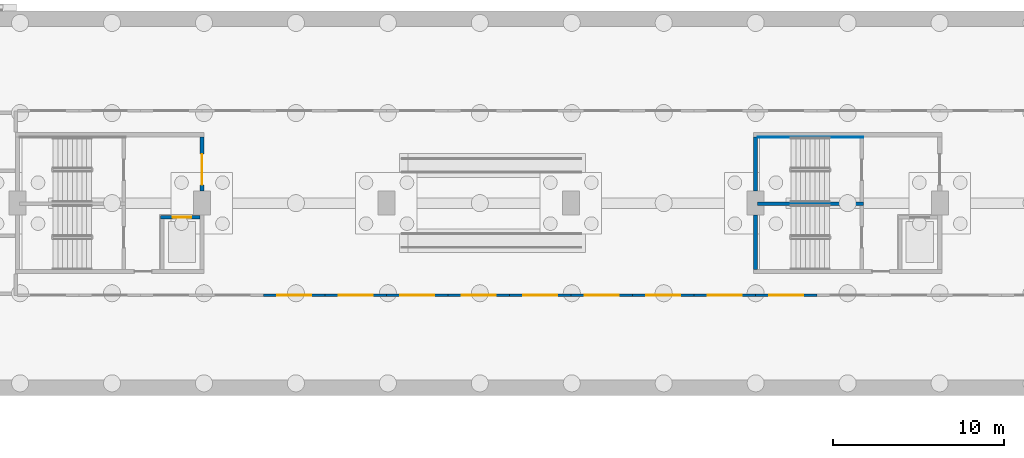
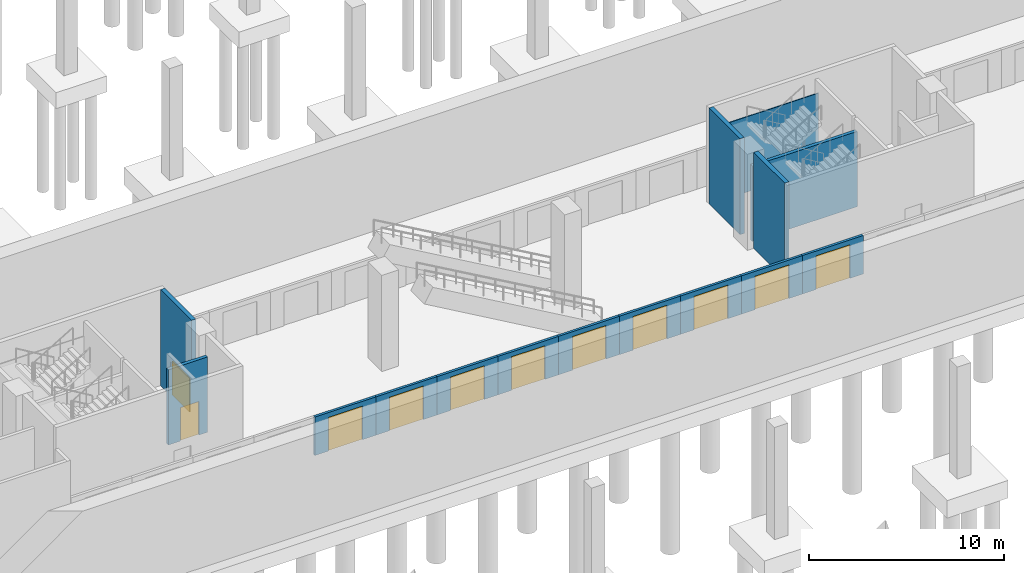
# One storey, part 7 of 39: 15 walls, 11 doors, 11 openings.
"""IFC4 building model written with IfcOpenShell, lengths in metres."""

from ifc_helpers import new_model, si_unit, direction, frame, frame_2d, origin, place, context, subcontext, project, spatial, rectangle, extrude, material, layer, layer_set, type_object, element, fill, save


model = new_model("IFC4")

# Units and contexts
model_context = context("Model", 3, precision=1e-05, world=origin(), true_north=direction((0.0, 1.0)))
body_context = subcontext(model_context, "Body", "Model", "MODEL_VIEW")
ifc_project = project(units=[si_unit("LENGTHUNIT", "METRE"), si_unit("AREAUNIT", "SQUARE_METRE"), si_unit("VOLUMEUNIT", "CUBIC_METRE"), si_unit("PLANEANGLEUNIT", "RADIAN"), si_unit("MASSUNIT", "GRAM", prefix="KILO")], contexts=[model_context])

# Site, building, storey
site_placement = place(None, origin())
site = spatial("IfcSite", under=ifc_project, at=site_placement, CompositionType="ELEMENT")
building_placement = place(site_placement, origin())
building = spatial("IfcBuilding", under=site, at=building_placement, Name="Magnolia Steps Interchange", CompositionType="ELEMENT")
storey_placement = place(building_placement, frame((0.0, 0.0, -11.39990234375)))
storey = spatial("IfcBuildingStorey", under=building, at=storey_placement, Name="B2", CompositionType="ELEMENT", Elevation=-11.39990234375)

# Wall, opening, door
ifc_material_1 = material(Name="Concrete C35", Category="concrete")
ifc_layer_1 = layer(ifc_material_1, 0.199951171875)
ifc_layer_set_1 = layer_set([ifc_layer_1], Name="Core enclosure wall 200")
wall_type_1 = type_object("IfcWallType", Name="Core enclosure wall 200", PredefinedType="SOLIDWALL", material=ifc_layer_set_1)
wall_1_placement = place(storey_placement, frame((63.875, 63.175048828125, 0.0), z_axis=(0.0, 0.0, 1.0), x_axis=(-1.0, 0.0, 0.0)))
wall_1 = element("IfcWall", 1, at=wall_1_placement, inside=storey, type_object=wall_type_1, Name="B2 PC1 enclosure wall", PredefinedType="SOLIDWALL", context=body_context, shape_type="SweptSolid", body=[
    extrude(rectangle(XDim=2.300048828125, YDim=0.199951171875, at=frame_2d((1.14990234375, 0.0))), origin(), (0.0, 0.0, 1.0), 4.699951171875),
])
opening_1_placement = place(wall_1_placement, frame((0.5, 0.0, 0.0)))
opening_1 = element("IfcOpeningElement", 2, at=opening_1_placement, cuts=wall_1, Name="Opening LD", PredefinedType="OPENING", context=body_context, shape_type="SweptSolid", body=[
    extrude(rectangle(XDim=1.10009765625, YDim=2.10009765625, at=frame_2d((0.550048828125, 1.050048828125))), frame((0.0, 0.10986328125, 0.0), z_axis=(0.0, -1.0, 0.0), x_axis=(1.0, 0.0, 0.0)), (0.0, 0.0, 1.0), 0.219970703125),
])
ifc_material_2 = material(Name="Stainless steel grade 304", Category="steel")
door_type_1 = type_object("IfcDoorType", Name="Lift landing door 1100x2100", OperationType="DOUBLE_DOOR_SLIDING", PredefinedType="DOOR", material=ifc_material_2)
door_1_placement = place(opening_1_placement, frame((1.10009765625, 0.0, 0.0), z_axis=(0.0, 0.0, 1.0), x_axis=(-1.0, 0.0, 0.0)))
door_1 = element("IfcDoor", 3, at=door_1_placement, inside=storey, type_object=door_type_1, Name="Lift landing door LF5 B2", OperationType="DOUBLE_DOOR_SLIDING", OverallHeight=2.10009765625, OverallWidth=1.10009765625, PredefinedType="DOOR", context=body_context, shape_type="SweptSolid", body=[
    extrude(rectangle(XDim=1.10009765625, YDim=2.10009765625, at=frame_2d((0.550048828125, 1.050048828125))), frame((0.0, 0.02490234375, 0.0), z_axis=(0.0, -1.0, 0.0), x_axis=(1.0, 0.0, 0.0)), (0.0, 0.0, 1.0), 0.050048828125),
])
fill(opening_1, door_1)

# Walls
wall_2_placement = place(storey_placement, frame((102.72509765625, 63.97509765625, 0.0), z_axis=(0.0, 0.0, 1.0), x_axis=(-1.0, 0.0, 0.0)))
element("IfcWall", 4, at=wall_2_placement, inside=storey, type_object=wall_type_1, Name="B2 PC2 enclosure wall", PredefinedType="SOLIDWALL", context=body_context, shape_type="SweptSolid", body=[
    extrude(rectangle(XDim=6.2001953125, YDim=0.199951171875, at=frame_2d((3.10009765625, 0.0))), origin(), (0.0, 0.0, 1.0), 4.699951171875),
])
wall_3_placement = place(storey_placement, frame((102.72509765625, 67.85009765625, 0.0), z_axis=(0.0, 0.0, 1.0), x_axis=(-1.0, 0.0, 0.0)))
element("IfcWall", 5, at=wall_3_placement, inside=storey, type_object=wall_type_1, Name="B2 PC2 enclosure wall", PredefinedType="SOLIDWALL", context=body_context, shape_type="SweptSolid", body=[
    extrude(rectangle(XDim=6.2001953125, YDim=0.050048828125, at=frame_2d((3.10009765625, 0.0))), origin(), (0.0, 0.0, 1.0), 4.699951171875),
])

# Wall, opening, door
ifc_material_3 = material(Name="Concrete C40", Category="concrete")
ifc_layer_2 = layer(ifc_material_3, 0.25)
ifc_layer_set_2 = layer_set([ifc_layer_2], Name="Core wall 250")
wall_type_2 = type_object("IfcWallType", Name="Core wall 250", PredefinedType="SOLIDWALL", material=ifc_layer_set_2)
wall_4_placement = place(storey_placement, frame((64.0, 64.699951171875, 0.0), z_axis=(0.0, 0.0, 1.0), x_axis=(0.0, 1.0, 0.0)))
wall_4 = element("IfcWall", 6, at=wall_4_placement, inside=storey, type_object=wall_type_2, Name="Core wall PC1", PredefinedType="SOLIDWALL", context=body_context, shape_type="SweptSolid", body=[
    extrude(rectangle(XDim=3.175048828125, YDim=0.25, at=frame_2d((1.58740234375, 0.0))), origin(), (0.0, 0.0, 1.0), 6.0),
])
opening_2_placement = place(wall_4_placement, frame((0.375, 0.0, 0.0)))
opening_2 = element("IfcOpeningElement", 7, at=opening_2_placement, cuts=wall_4, Name="Opening D-PC1-B2-3", PredefinedType="OPENING", context=body_context, shape_type="SweptSolid", body=[
    extrude(rectangle(XDim=1.800048828125, YDim=2.10009765625, at=frame_2d((0.89990234375, 1.050048828125))), frame((0.0, 0.135009765625, 0.0), z_axis=(0.0, -1.0, 0.0), x_axis=(1.0, 0.0, 0.0)), (0.0, 0.0, 1.0), 0.27001953125),
])
ifc_material_4 = material(Name="Timber and glass", Category="wood")
door_type_2 = type_object("IfcDoorType", Name="Core entrance door pair 1800x2100", OperationType="DOUBLE_DOOR_DOUBLE_SWING", PredefinedType="DOOR", material=ifc_material_4)
door_2_placement = place(opening_2_placement, frame((1.800048828125, 0.0, 0.0), z_axis=(0.0, 0.0, 1.0), x_axis=(-1.0, 0.0, 0.0)))
door_2 = element("IfcDoor", 8, at=door_2_placement, inside=storey, type_object=door_type_2, Name="Core entrance door PC1 B2", OperationType="DOUBLE_DOOR_DOUBLE_SWING", OverallHeight=2.10009765625, OverallWidth=1.800048828125, PredefinedType="DOOR", context=body_context, shape_type="SweptSolid", body=[
    extrude(rectangle(XDim=1.800048828125, YDim=2.10009765625, at=frame_2d((0.89990234375, 1.050048828125))), frame((0.0, 0.02490234375, 0.0), z_axis=(0.0, -1.0, 0.0), x_axis=(1.0, 0.0, 0.0)), (0.0, 0.0, 1.0), 0.050048828125),
])
fill(opening_2, door_2)

# Walls
for number, where, z_axis, x_axis, name in (
    (9, (96.39990234375, 67.875, 0.0), (0.0, 0.0, 1.0), (0.0, -1.0, 0.0), "Core wall PC2"),
    (10, (96.39990234375, 63.300048828125, 0.0), (0.0, 0.0, 1.0), (0.0, -1.0, 0.0), "Core wall PC2"),
):
    element("IfcWall", number, at=place(storey_placement, frame(where, z_axis=z_axis, x_axis=x_axis)), inside=storey, type_object=wall_type_2, Name=name, PredefinedType="SOLIDWALL", context=body_context, shape_type="SweptSolid", body=[
        extrude(rectangle(XDim=3.175048828125, YDim=0.25, at=frame_2d((1.58740234375, 0.0))), origin(), (0.0, 0.0, 1.0), 6.0),
    ])

# Wall, opening, door
ifc_material_5 = material(Name="Toughened glass", Category="glass")
ifc_layer_3 = layer(ifc_material_5, 0.14990234375)
ifc_layer_set_3 = layer_set([ifc_layer_3], Name="Platform screen panel 150")
wall_type_3 = type_object("IfcWallType", Name="Platform screen panel 150", PredefinedType="PARTITIONING", material=ifc_layer_set_3)
wall_5_placement = place(storey_placement, frame((67.60009765625, 58.60009765625, 0.0), z_axis=(0.0, 0.0, 1.0), x_axis=(1.0, 0.0, 0.0)))
wall_5 = element("IfcWall", 11, at=wall_5_placement, inside=storey, type_object=wall_type_3, Name="Platform screen 5", PredefinedType="PARTITIONING", context=body_context, shape_type="SweptSolid", body=[
    extrude(rectangle(XDim=3.599853515625, YDim=0.14990234375, at=frame_2d((1.7998046875, 0.0))), origin(), (0.0, 0.0, 1.0), 2.39990234375),
])
opening_3_placement = place(wall_5_placement, frame((0.800048828125, 0.0, 0.0)))
opening_3 = element("IfcOpeningElement", 12, at=opening_3_placement, cuts=wall_5, Name="Opening PSD", PredefinedType="OPENING", context=body_context, shape_type="SweptSolid", body=[
    extrude(rectangle(XDim=2.0, YDim=2.10009765625, at=frame_2d((1.0, 1.050048828125))), frame((0.0, 0.0849609375, 0.0), z_axis=(0.0, -1.0, 0.0), x_axis=(1.0, 0.0, 0.0)), (0.0, 0.0, 1.0), 0.169921875),
])
ifc_material_6 = material(Name="Toughened glass", Category="glass")
door_type_3 = type_object("IfcDoorType", Name="Platform screen door 2000x2100", OperationType="DOUBLE_DOOR_SLIDING", PredefinedType="DOOR", material=ifc_material_6)
door_3_placement = place(opening_3_placement, origin())
door_3 = element("IfcDoor", 13, at=door_3_placement, inside=storey, type_object=door_type_3, Name="Platform screen door 5", OperationType="DOUBLE_DOOR_SLIDING", OverallHeight=2.10009765625, OverallWidth=2.0, PredefinedType="DOOR", context=body_context, shape_type="SweptSolid", body=[
    extrude(rectangle(XDim=2.0, YDim=2.10009765625, at=frame_2d((1.0, 1.050048828125))), frame((0.0, 0.02490234375, 0.0), z_axis=(0.0, -1.0, 0.0), x_axis=(1.0, 0.0, 0.0)), (0.0, 0.0, 1.0), 0.050048828125),
])
fill(opening_3, door_3)

wall_6_placement = place(storey_placement, frame((71.199951171875, 58.60009765625, 0.0), z_axis=(0.0, 0.0, 1.0), x_axis=(1.0, 0.0, 0.0)))
wall_6 = element("IfcWall", 14, at=wall_6_placement, inside=storey, type_object=wall_type_3, Name="Platform screen 6", PredefinedType="PARTITIONING", context=body_context, shape_type="SweptSolid", body=[
    extrude(rectangle(XDim=3.60009765625, YDim=0.14990234375, at=frame_2d((1.800048828125, 0.0))), origin(), (0.0, 0.0, 1.0), 2.39990234375),
])
opening_4_placement = place(wall_6_placement, frame((0.800048828125, 0.0, 0.0)))
opening_4 = element("IfcOpeningElement", 15, at=opening_4_placement, cuts=wall_6, Name="Opening PSD", PredefinedType="OPENING", context=body_context, shape_type="SweptSolid", body=[
    extrude(rectangle(XDim=2.0, YDim=2.10009765625, at=frame_2d((1.0, 1.050048828125))), frame((0.0, 0.0849609375, 0.0), z_axis=(0.0, -1.0, 0.0), x_axis=(1.0, 0.0, 0.0)), (0.0, 0.0, 1.0), 0.169921875),
])
door_4_placement = place(opening_4_placement, origin())
door_4 = element("IfcDoor", 16, at=door_4_placement, inside=storey, type_object=door_type_3, Name="Platform screen door 6", OperationType="DOUBLE_DOOR_SLIDING", OverallHeight=2.10009765625, OverallWidth=2.0, PredefinedType="DOOR", context=body_context, shape_type="SweptSolid", body=[
    extrude(rectangle(XDim=2.0, YDim=2.10009765625, at=frame_2d((1.0, 1.050048828125))), frame((0.0, 0.02490234375, 0.0), z_axis=(0.0, -1.0, 0.0), x_axis=(1.0, 0.0, 0.0)), (0.0, 0.0, 1.0), 0.050048828125),
])
fill(opening_4, door_4)

wall_7_placement = place(storey_placement, frame((74.800048828125, 58.60009765625, 0.0), z_axis=(0.0, 0.0, 1.0), x_axis=(1.0, 0.0, 0.0)))
wall_7 = element("IfcWall", 17, at=wall_7_placement, inside=storey, type_object=wall_type_3, Name="Platform screen 7", PredefinedType="PARTITIONING", context=body_context, shape_type="SweptSolid", body=[
    extrude(rectangle(XDim=3.599853515625, YDim=0.14990234375, at=frame_2d((1.7998046875, 0.0))), origin(), (0.0, 0.0, 1.0), 2.39990234375),
])
opening_5_placement = place(wall_7_placement, frame((0.800048828125, 0.0, 0.0)))
opening_5 = element("IfcOpeningElement", 18, at=opening_5_placement, cuts=wall_7, Name="Opening PSD", PredefinedType="OPENING", context=body_context, shape_type="SweptSolid", body=[
    extrude(rectangle(XDim=2.0, YDim=2.10009765625, at=frame_2d((1.0, 1.050048828125))), frame((0.0, 0.0849609375, 0.0), z_axis=(0.0, -1.0, 0.0), x_axis=(1.0, 0.0, 0.0)), (0.0, 0.0, 1.0), 0.169921875),
])
door_5_placement = place(opening_5_placement, origin())
door_5 = element("IfcDoor", 19, at=door_5_placement, inside=storey, type_object=door_type_3, Name="Platform screen door 7", OperationType="DOUBLE_DOOR_SLIDING", OverallHeight=2.10009765625, OverallWidth=2.0, PredefinedType="DOOR", context=body_context, shape_type="SweptSolid", body=[
    extrude(rectangle(XDim=2.0, YDim=2.10009765625, at=frame_2d((1.0, 1.050048828125))), frame((0.0, 0.02490234375, 0.0), z_axis=(0.0, -1.0, 0.0), x_axis=(1.0, 0.0, 0.0)), (0.0, 0.0, 1.0), 0.050048828125),
])
fill(opening_5, door_5)

wall_8_placement = place(storey_placement, frame((78.39990234375, 58.60009765625, 0.0), z_axis=(0.0, 0.0, 1.0), x_axis=(1.0, 0.0, 0.0)))
wall_8 = element("IfcWall", 20, at=wall_8_placement, inside=storey, type_object=wall_type_3, Name="Platform screen 8", PredefinedType="PARTITIONING", context=body_context, shape_type="SweptSolid", body=[
    extrude(rectangle(XDim=3.60009765625, YDim=0.14990234375, at=frame_2d((1.800048828125, 0.0))), origin(), (0.0, 0.0, 1.0), 2.39990234375),
])
opening_6_placement = place(wall_8_placement, frame((0.800048828125, 0.0, 0.0)))
opening_6 = element("IfcOpeningElement", 21, at=opening_6_placement, cuts=wall_8, Name="Opening PSD", PredefinedType="OPENING", context=body_context, shape_type="SweptSolid", body=[
    extrude(rectangle(XDim=2.0, YDim=2.10009765625, at=frame_2d((1.0, 1.050048828125))), frame((0.0, 0.0849609375, 0.0), z_axis=(0.0, -1.0, 0.0), x_axis=(1.0, 0.0, 0.0)), (0.0, 0.0, 1.0), 0.169921875),
])
door_6_placement = place(opening_6_placement, origin())
door_6 = element("IfcDoor", 22, at=door_6_placement, inside=storey, type_object=door_type_3, Name="Platform screen door 8", OperationType="DOUBLE_DOOR_SLIDING", OverallHeight=2.10009765625, OverallWidth=2.0, PredefinedType="DOOR", context=body_context, shape_type="SweptSolid", body=[
    extrude(rectangle(XDim=2.0, YDim=2.10009765625, at=frame_2d((1.0, 1.050048828125))), frame((0.0, 0.02490234375, 0.0), z_axis=(0.0, -1.0, 0.0), x_axis=(1.0, 0.0, 0.0)), (0.0, 0.0, 1.0), 0.050048828125),
])
fill(opening_6, door_6)

wall_9_placement = place(storey_placement, frame((82.0, 58.60009765625, 0.0), z_axis=(0.0, 0.0, 1.0), x_axis=(1.0, 0.0, 0.0)))
wall_9 = element("IfcWall", 23, at=wall_9_placement, inside=storey, type_object=wall_type_3, Name="Platform screen 9", PredefinedType="PARTITIONING", context=body_context, shape_type="SweptSolid", body=[
    extrude(rectangle(XDim=3.60009765625, YDim=0.14990234375, at=frame_2d((1.800048828125, 0.0))), origin(), (0.0, 0.0, 1.0), 2.39990234375),
])
opening_7_placement = place(wall_9_placement, frame((0.800048828125, 0.0, 0.0)))
opening_7 = element("IfcOpeningElement", 24, at=opening_7_placement, cuts=wall_9, Name="Opening PSD", PredefinedType="OPENING", context=body_context, shape_type="SweptSolid", body=[
    extrude(rectangle(XDim=2.0, YDim=2.10009765625, at=frame_2d((1.0, 1.050048828125))), frame((0.0, 0.0849609375, 0.0), z_axis=(0.0, -1.0, 0.0), x_axis=(1.0, 0.0, 0.0)), (0.0, 0.0, 1.0), 0.169921875),
])
door_7_placement = place(opening_7_placement, origin())
door_7 = element("IfcDoor", 25, at=door_7_placement, inside=storey, type_object=door_type_3, Name="Platform screen door 9", OperationType="DOUBLE_DOOR_SLIDING", OverallHeight=2.10009765625, OverallWidth=2.0, PredefinedType="DOOR", context=body_context, shape_type="SweptSolid", body=[
    extrude(rectangle(XDim=2.0, YDim=2.10009765625, at=frame_2d((1.0, 1.050048828125))), frame((0.0, 0.02490234375, 0.0), z_axis=(0.0, -1.0, 0.0), x_axis=(1.0, 0.0, 0.0)), (0.0, 0.0, 1.0), 0.050048828125),
])
fill(opening_7, door_7)

wall_10_placement = place(storey_placement, frame((85.60009765625, 58.60009765625, 0.0), z_axis=(0.0, 0.0, 1.0), x_axis=(1.0, 0.0, 0.0)))
wall_10 = element("IfcWall", 26, at=wall_10_placement, inside=storey, type_object=wall_type_3, Name="Platform screen 10", PredefinedType="PARTITIONING", context=body_context, shape_type="SweptSolid", body=[
    extrude(rectangle(XDim=3.599853515625, YDim=0.14990234375, at=frame_2d((1.7998046875, 0.0))), origin(), (0.0, 0.0, 1.0), 2.39990234375),
])
opening_8_placement = place(wall_10_placement, frame((0.800048828125, 0.0, 0.0)))
opening_8 = element("IfcOpeningElement", 27, at=opening_8_placement, cuts=wall_10, Name="Opening PSD", PredefinedType="OPENING", context=body_context, shape_type="SweptSolid", body=[
    extrude(rectangle(XDim=2.0, YDim=2.10009765625, at=frame_2d((1.0, 1.050048828125))), frame((0.0, 0.0849609375, 0.0), z_axis=(0.0, -1.0, 0.0), x_axis=(1.0, 0.0, 0.0)), (0.0, 0.0, 1.0), 0.169921875),
])
door_8_placement = place(opening_8_placement, origin())
door_8 = element("IfcDoor", 28, at=door_8_placement, inside=storey, type_object=door_type_3, Name="Platform screen door 10", OperationType="DOUBLE_DOOR_SLIDING", OverallHeight=2.10009765625, OverallWidth=2.0, PredefinedType="DOOR", context=body_context, shape_type="SweptSolid", body=[
    extrude(rectangle(XDim=2.0, YDim=2.10009765625, at=frame_2d((1.0, 1.050048828125))), frame((0.0, 0.02490234375, 0.0), z_axis=(0.0, -1.0, 0.0), x_axis=(1.0, 0.0, 0.0)), (0.0, 0.0, 1.0), 0.050048828125),
])
fill(opening_8, door_8)

wall_11_placement = place(storey_placement, frame((89.199951171875, 58.60009765625, 0.0), z_axis=(0.0, 0.0, 1.0), x_axis=(1.0, 0.0, 0.0)))
wall_11 = element("IfcWall", 29, at=wall_11_placement, inside=storey, type_object=wall_type_3, Name="Platform screen 11", PredefinedType="PARTITIONING", context=body_context, shape_type="SweptSolid", body=[
    extrude(rectangle(XDim=3.60009765625, YDim=0.14990234375, at=frame_2d((1.800048828125, 0.0))), origin(), (0.0, 0.0, 1.0), 2.39990234375),
])
opening_9_placement = place(wall_11_placement, frame((0.800048828125, 0.0, 0.0)))
opening_9 = element("IfcOpeningElement", 30, at=opening_9_placement, cuts=wall_11, Name="Opening PSD", PredefinedType="OPENING", context=body_context, shape_type="SweptSolid", body=[
    extrude(rectangle(XDim=2.0, YDim=2.10009765625, at=frame_2d((1.0, 1.050048828125))), frame((0.0, 0.0849609375, 0.0), z_axis=(0.0, -1.0, 0.0), x_axis=(1.0, 0.0, 0.0)), (0.0, 0.0, 1.0), 0.169921875),
])
door_9_placement = place(opening_9_placement, origin())
door_9 = element("IfcDoor", 31, at=door_9_placement, inside=storey, type_object=door_type_3, Name="Platform screen door 11", OperationType="DOUBLE_DOOR_SLIDING", OverallHeight=2.10009765625, OverallWidth=2.0, PredefinedType="DOOR", context=body_context, shape_type="SweptSolid", body=[
    extrude(rectangle(XDim=2.0, YDim=2.10009765625, at=frame_2d((1.0, 1.050048828125))), frame((0.0, 0.02490234375, 0.0), z_axis=(0.0, -1.0, 0.0), x_axis=(1.0, 0.0, 0.0)), (0.0, 0.0, 1.0), 0.050048828125),
])
fill(opening_9, door_9)

wall_12_placement = place(storey_placement, frame((92.800048828125, 58.60009765625, 0.0), z_axis=(0.0, 0.0, 1.0), x_axis=(1.0, 0.0, 0.0)))
wall_12 = element("IfcWall", 32, at=wall_12_placement, inside=storey, type_object=wall_type_3, Name="Platform screen 12", PredefinedType="PARTITIONING", context=body_context, shape_type="SweptSolid", body=[
    extrude(rectangle(XDim=3.599853515625, YDim=0.14990234375, at=frame_2d((1.7998046875, 0.0))), origin(), (0.0, 0.0, 1.0), 2.39990234375),
])
opening_10_placement = place(wall_12_placement, frame((0.800048828125, 0.0, 0.0)))
opening_10 = element("IfcOpeningElement", 33, at=opening_10_placement, cuts=wall_12, Name="Opening PSD", PredefinedType="OPENING", context=body_context, shape_type="SweptSolid", body=[
    extrude(rectangle(XDim=2.0, YDim=2.10009765625, at=frame_2d((1.0, 1.050048828125))), frame((0.0, 0.0849609375, 0.0), z_axis=(0.0, -1.0, 0.0), x_axis=(1.0, 0.0, 0.0)), (0.0, 0.0, 1.0), 0.169921875),
])
door_10_placement = place(opening_10_placement, origin())
door_10 = element("IfcDoor", 34, at=door_10_placement, inside=storey, type_object=door_type_3, Name="Platform screen door 12", OperationType="DOUBLE_DOOR_SLIDING", OverallHeight=2.10009765625, OverallWidth=2.0, PredefinedType="DOOR", context=body_context, shape_type="SweptSolid", body=[
    extrude(rectangle(XDim=2.0, YDim=2.10009765625, at=frame_2d((1.0, 1.050048828125))), frame((0.0, 0.02490234375, 0.0), z_axis=(0.0, -1.0, 0.0), x_axis=(1.0, 0.0, 0.0)), (0.0, 0.0, 1.0), 0.050048828125),
])
fill(opening_10, door_10)

wall_13_placement = place(storey_placement, frame((96.39990234375, 58.60009765625, 0.0), z_axis=(0.0, 0.0, 1.0), x_axis=(1.0, 0.0, 0.0)))
wall_13 = element("IfcWall", 35, at=wall_13_placement, inside=storey, type_object=wall_type_3, Name="Platform screen 13", PredefinedType="PARTITIONING", context=body_context, shape_type="SweptSolid", body=[
    extrude(rectangle(XDim=3.60009765625, YDim=0.14990234375, at=frame_2d((1.800048828125, 0.0))), origin(), (0.0, 0.0, 1.0), 2.39990234375),
])
opening_11_placement = place(wall_13_placement, frame((0.800048828125, 0.0, 0.0)))
opening_11 = element("IfcOpeningElement", 36, at=opening_11_placement, cuts=wall_13, Name="Opening PSD", PredefinedType="OPENING", context=body_context, shape_type="SweptSolid", body=[
    extrude(rectangle(XDim=2.0, YDim=2.10009765625, at=frame_2d((1.0, 1.050048828125))), frame((0.0, 0.0849609375, 0.0), z_axis=(0.0, -1.0, 0.0), x_axis=(1.0, 0.0, 0.0)), (0.0, 0.0, 1.0), 0.169921875),
])
door_11_placement = place(opening_11_placement, origin())
door_11 = element("IfcDoor", 37, at=door_11_placement, inside=storey, type_object=door_type_3, Name="Platform screen door 13", OperationType="DOUBLE_DOOR_SLIDING", OverallHeight=2.10009765625, OverallWidth=2.0, PredefinedType="DOOR", context=body_context, shape_type="SweptSolid", body=[
    extrude(rectangle(XDim=2.0, YDim=2.10009765625, at=frame_2d((1.0, 1.050048828125))), frame((0.0, 0.02490234375, 0.0), z_axis=(0.0, -1.0, 0.0), x_axis=(1.0, 0.0, 0.0)), (0.0, 0.0, 1.0), 0.050048828125),
])
fill(opening_11, door_11)

save(model, "model.ifc")
